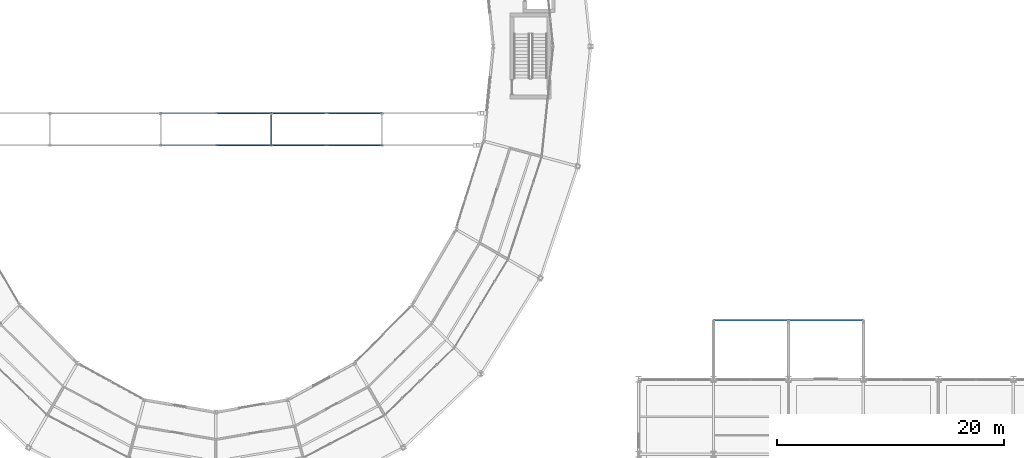
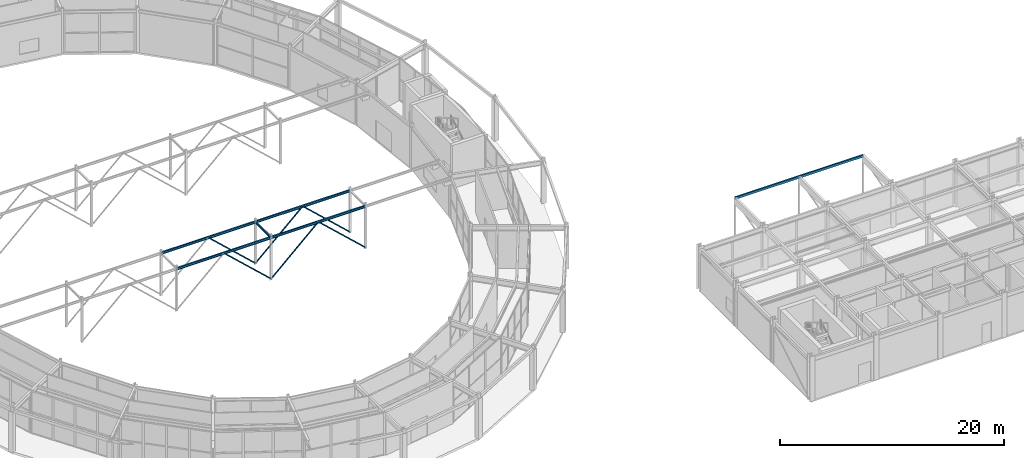
# One storey, part 61 of 144: 7 beams, 6 members.
"""IFC4 building model written with IfcOpenShell, lengths in metres."""

from ifc_helpers import new_model, si_unit, direction, frame, origin, origin_2d, place, context, subcontext, project, spatial, hollow_rectangle, hollow_circle, i_section, extrude, material, material_profile, profile_set, type_object, element, save


model = new_model("IFC4")

# Units and contexts
model_context = context("Model", 3, precision=1e-05, world=origin(), true_north=direction((0.0, 1.0)))
body_context = subcontext(model_context, "Body", "Model", "MODEL_VIEW")
ifc_project = project(units=[si_unit("LENGTHUNIT", "METRE"), si_unit("AREAUNIT", "SQUARE_METRE"), si_unit("VOLUMEUNIT", "CUBIC_METRE"), si_unit("PLANEANGLEUNIT", "RADIAN"), si_unit("MASSUNIT", "GRAM", prefix="KILO")], contexts=[model_context])

# Site, building, storey
site_placement = place(None, origin())
site = spatial("IfcSite", under=ifc_project, at=site_placement, CompositionType="ELEMENT")
building_placement = place(site_placement, origin())
building = spatial("IfcBuilding", under=site, at=building_placement, Name="Karori Crest Natural Sciences Institute", CompositionType="ELEMENT")
storey_placement = place(building_placement, origin())
storey = spatial("IfcBuildingStorey", under=building, at=storey_placement, Name="L00", CompositionType="ELEMENT", Elevation=0.0)

# Beams
ifc_material_1 = material(Name="Structural steel AS/NZS 3679.1 Grade 350", Category="steel")
ifc_material_profile_1 = material_profile(ifc_material_1, i_section(OverallWidth=0.14599609375, OverallDepth=0.256103515625, WebThickness=0.00634765625, FlangeThickness=0.010986328125, FilletRadius=0.009033203125, at=origin_2d()), Name="250UB37.3")
ifc_profile_set_1 = profile_set([ifc_material_profile_1], Name="Structural steel AS/NZS 3679.1 Grade 350")
beam_type_1 = type_object("IfcBeamType", Name="BT-11", PredefinedType="BEAM", material=ifc_profile_set_1)
for number, where, z_axis, x_axis, name in (
    (1, (61.530029296875, 41.199951171875, 4.511962890625), (1.0, 0.0, 0.0), (0.0, 1.0, 0.0), "Beam B-0717"),
    (2, (71.27001953125, 41.199951171875, 4.511962890625), (1.0, 0.0, 0.0), (0.0, 1.0, 0.0), "Beam B-0718"),
    (3, (61.530029296875, 44.0, 4.511962890625), (1.0, 0.0, 0.0), (0.0, 1.0, 0.0), "Beam B-0720"),
    (4, (71.27001953125, 44.0, 4.511962890625), (1.0, 0.0, 0.0), (0.0, 1.0, 0.0), "Beam B-0721"),
):
    element("IfcBeam", number, at=place(storey_placement, frame(where, z_axis=z_axis, x_axis=x_axis)), inside=storey, type_object=beam_type_1, Name=name, PredefinedType="BEAM", context=body_context, shape_type="SweptSolid", body=[
        extrude(i_section(OverallWidth=0.14599609375, OverallDepth=0.256103515625, WebThickness=0.00634765625, FlangeThickness=0.010986328125, FilletRadius=0.009033203125, at=origin_2d()), origin(), (0.0, 0.0, 1.0), 9.739990234375),
    ])
ifc_material_profile_2 = material_profile(ifc_material_1, i_section(OverallWidth=0.134033203125, OverallDepth=0.20703125, WebThickness=0.00634765625, FlangeThickness=0.009521484375, FilletRadius=0.009033203125, at=origin_2d()), Name="200UB29.8")
ifc_profile_set_2 = profile_set([ifc_material_profile_2], Name="Structural steel AS/NZS 3679.1 Grade 350")
beam_type_2 = type_object("IfcBeamType", Name="BT-13", PredefinedType="BEAM", material=ifc_profile_set_2)
beam_1_placement = place(storey_placement, frame((71.27001953125, 41.199951171875, 4.52001953125), z_axis=(0.0, 1.0, 0.0), x_axis=(-1.0, 0.0, 0.0)))
element("IfcBeam", 5, at=beam_1_placement, inside=storey, type_object=beam_type_2, Name="Beam B-0724", PredefinedType="BEAM", context=body_context, shape_type="SweptSolid", body=[
    extrude(i_section(OverallWidth=0.134033203125, OverallDepth=0.20703125, WebThickness=0.00634765625, FlangeThickness=0.009521484375, FilletRadius=0.009033203125, at=origin_2d()), origin(), (0.0, 0.0, 1.0), 2.800048828125),
])
ifc_material_2 = material(Name="Hollow structural steel AS/NZS 1163 Grade C350", Category="steel")
ifc_material_profile_3 = material_profile(ifc_material_2, hollow_rectangle(XDim=0.14990234375, YDim=0.25, WallThickness=0.009033203125, at=origin_2d()), Name="RHS250x150x9")
ifc_profile_set_3 = profile_set([ifc_material_profile_3], Name="Hollow structural steel AS/NZS 1163 Grade C350")
beam_type_3 = type_object("IfcBeamType", Name="BT-16", PredefinedType="SPANDREL", material=ifc_profile_set_3)
beam_2_placement = place(storey_placement, frame((110.199951171875, 25.800048828125, 4.52001953125), z_axis=(1.0, 0.0, 0.0), x_axis=(0.0, 1.0, 0.0)))
element("IfcBeam", 6, at=beam_2_placement, inside=storey, type_object=beam_type_3, Name="Beam B-2879", PredefinedType="SPANDREL", context=body_context, shape_type="SweptSolid", body=[
    extrude(hollow_rectangle(XDim=0.14990234375, YDim=0.25, WallThickness=0.009033203125, at=origin_2d()), origin(), (0.0, 0.0, 1.0), 6.60009765625),
])
beam_3_placement = place(storey_placement, frame((116.800048828125, 25.800048828125, 4.52001953125), z_axis=(1.0, 0.0, 0.0), x_axis=(0.0, 1.0, 0.0)))
element("IfcBeam", 7, at=beam_3_placement, inside=storey, type_object=beam_type_3, Name="Beam B-2880", PredefinedType="SPANDREL", context=body_context, shape_type="SweptSolid", body=[
    extrude(hollow_rectangle(XDim=0.14990234375, YDim=0.25, WallThickness=0.009033203125, at=origin_2d()), origin(), (0.0, 0.0, 1.0), 6.599853515625),
])

# Members
ifc_material_profile_4 = material_profile(ifc_material_2, hollow_circle(Radius=0.06982421875, WallThickness=0.00634765625, at=origin_2d()), Name="CHS139.7x6.4")
ifc_profile_set_4 = profile_set([ifc_material_profile_4], Name="Hollow structural steel AS/NZS 1163 Grade C350")
member_type = type_object("IfcMemberType", Name="MT-18", PredefinedType="STRUT", material=ifc_profile_set_4)
for number, where, z_axis, x_axis, name in (
    (8, (71.27001953125, 41.199951171875, 0.010009765625), (-0.7337124545, 0.0, 0.679460104871), (0.0, -1.0, 0.0), "Member M-0202"),
    (9, (71.27001953125, 44.0, 0.010009765625), (-0.7337124545, 0.0, 0.679460104871), (0.0, -1.0, 0.0), "Member M-0204"),
):
    element("IfcMember", number, at=place(storey_placement, frame(where, z_axis=z_axis, x_axis=x_axis)), inside=storey, type_object=member_type, Name=name, PredefinedType="STRUT", context=body_context, shape_type="SweptSolid", body=[
        extrude(hollow_circle(Radius=0.06982421875, WallThickness=0.00634765625, at=origin_2d()), origin(), (0.0, 0.0, 1.0), 6.6376953125),
    ])
member_1_placement = place(storey_placement, frame((71.27001953125, 41.199951171875, 0.010009765625), z_axis=(0.733695473157, 0.0, 0.679478441652), x_axis=(0.0, 1.0, 0.0)))
element("IfcMember", 10, at=member_1_placement, inside=storey, type_object=member_type, Name="Member M-0205", PredefinedType="STRUT", context=body_context, shape_type="SweptSolid", body=[
    extrude(hollow_circle(Radius=0.06982421875, WallThickness=0.00634765625, at=origin_2d()), origin(), (0.0, 0.0, 1.0), 6.637451171875),
])
member_2_placement = place(storey_placement, frame((81.010009765625, 41.199951171875, 0.010009765625), z_axis=(-0.7337124545, 0.0, 0.679460104871), x_axis=(0.0, -1.0, 0.0)))
element("IfcMember", 11, at=member_2_placement, inside=storey, type_object=member_type, Name="Member M-0206", PredefinedType="STRUT", context=body_context, shape_type="SweptSolid", body=[
    extrude(hollow_circle(Radius=0.06982421875, WallThickness=0.00634765625, at=origin_2d()), origin(), (0.0, 0.0, 1.0), 6.6376953125),
])
member_3_placement = place(storey_placement, frame((71.27001953125, 44.0, 0.010009765625), z_axis=(0.733695473157, 0.0, 0.679478441652), x_axis=(0.0, 1.0, 0.0)))
element("IfcMember", 12, at=member_3_placement, inside=storey, type_object=member_type, Name="Member M-0207", PredefinedType="STRUT", context=body_context, shape_type="SweptSolid", body=[
    extrude(hollow_circle(Radius=0.06982421875, WallThickness=0.00634765625, at=origin_2d()), origin(), (0.0, 0.0, 1.0), 6.637451171875),
])
member_4_placement = place(storey_placement, frame((81.010009765625, 44.0, 0.010009765625), z_axis=(-0.7337124545, 0.0, 0.679460104871), x_axis=(0.0, -1.0, 0.0)))
element("IfcMember", 13, at=member_4_placement, inside=storey, type_object=member_type, Name="Member M-0208", PredefinedType="STRUT", context=body_context, shape_type="SweptSolid", body=[
    extrude(hollow_circle(Radius=0.06982421875, WallThickness=0.00634765625, at=origin_2d()), origin(), (0.0, 0.0, 1.0), 6.6376953125),
])

save(model, "model.ifc")
